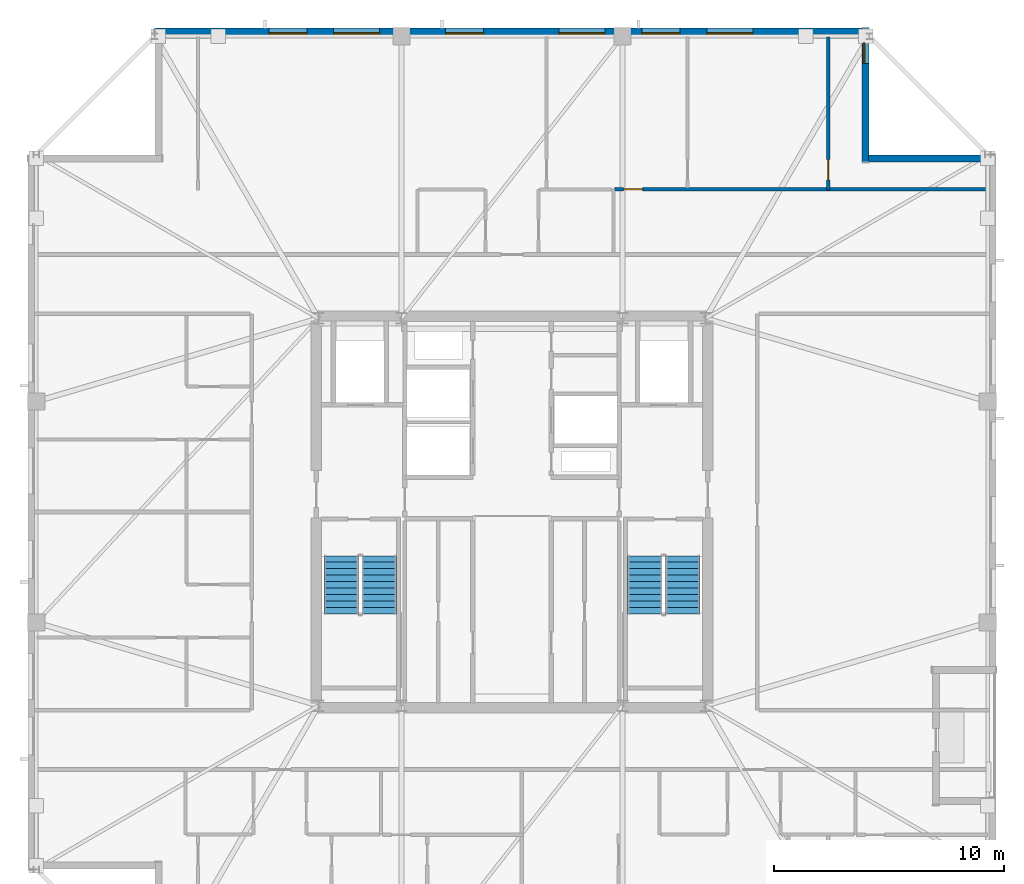
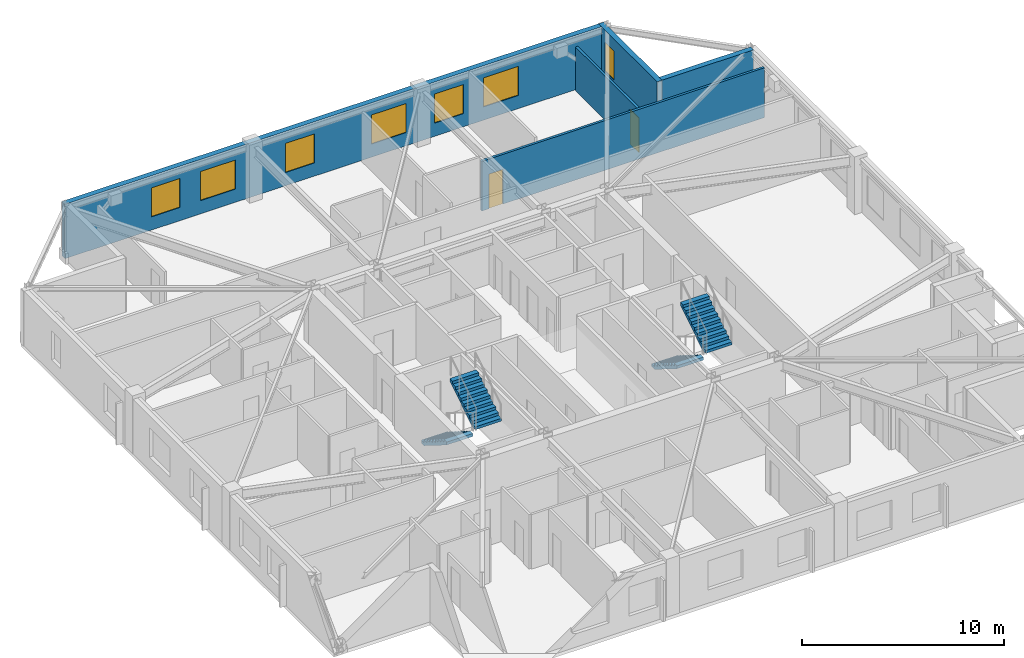
# One storey, part 11 of 15: 7 windows, 5 walls, 4 stair flights, 2 doors, 9 openings, 2 elements without a shape of their own.
"""IFC4 building model written with IfcOpenShell, lengths in metres."""

from ifc_helpers import new_model, si_unit, direction, frame, frame_2d, origin, place, context, subcontext, project, spatial, polyline, rectangle, outline, extrude, material, layer, layer_set, type_object, element, fill, aggregate, save


model = new_model("IFC4")

# Units and contexts
model_context = context("Model", 3, precision=1e-05, world=origin(), true_north=direction((0.0, 1.0)))
body_context = subcontext(model_context, "Body", "Model", "MODEL_VIEW")
ifc_project = project(units=[si_unit("LENGTHUNIT", "METRE"), si_unit("AREAUNIT", "SQUARE_METRE"), si_unit("VOLUMEUNIT", "CUBIC_METRE"), si_unit("PLANEANGLEUNIT", "RADIAN"), si_unit("MASSUNIT", "GRAM", prefix="KILO")], contexts=[model_context])

# Site, building, storey
site_placement = place(None, origin())
site = spatial("IfcSite", under=ifc_project, at=site_placement, CompositionType="ELEMENT")
building_placement = place(site_placement, origin())
building = spatial("IfcBuilding", under=site, at=building_placement, Name="Cairnveth Concourse Tower", CompositionType="ELEMENT")
storey_placement = place(building_placement, frame((0.0, 0.0, 291.0)))
storey = spatial("IfcBuildingStorey", under=building, at=storey_placement, Name="L80", CompositionType="ELEMENT", Elevation=291.0)

# Wall, opening, door
ifc_material_1 = material(Name="Gypsum Plasterboard Partition", Category="gypsum")
ifc_layer_1 = layer(ifc_material_1, 0.139892578125)
ifc_layer_set_1 = layer_set([ifc_layer_1], Name="Gypsum Plasterboard Partition")
wall_type_1 = type_object("IfcWallType", Name="GYPSUM STUD PARTITION 140", PredefinedType="PARTITIONING", material=ifc_layer_set_1)
wall_1_placement = place(storey_placement, frame((65.72998046875, 52.967529296875, 0.0), z_axis=(0.0, 0.0, 1.0), x_axis=(0.0, 1.0, 0.0)))
wall_1 = element("IfcWall", 1, at=wall_1_placement, inside=storey, type_object=wall_type_1, Name="Interior Wall IW-L80-072", PredefinedType="PARTITIONING", context=body_context, shape_type="SweptSolid", body=[
    extrude(rectangle(XDim=6.652587890625, YDim=0.139892578125, at=frame_2d((3.326171875, 0.0))), origin(), (0.0, 0.0, 1.0), 2.653076171875),
])
opening_1_placement = place(wall_1_placement, frame((0.449951171875, 0.0, 0.0)))
opening_1 = element("IfcOpeningElement", 2, at=opening_1_placement, cuts=wall_1, Name="Opening ID18", PredefinedType="OPENING", context=body_context, shape_type="SweptSolid", body=[
    extrude(rectangle(XDim=0.8798828125, YDim=2.10009765625, at=frame_2d((0.43994140625, 1.050048828125))), frame((0.0, 0.079833984375, 0.0), z_axis=(0.0, -1.0, 0.0), x_axis=(1.0, 0.0, 0.0)), (0.0, 0.0, 1.0), 0.159912109375),
])
ifc_material_2 = material(Name="Solid Core Hardwood Timber Leaf", Category="wood")
door_type_1 = type_object("IfcDoorType", Name="INTERIOR SINGLE DOOR 880X2100", OperationType="NOTDEFINED", PredefinedType="DOOR", material=ifc_material_2)
door_1_placement = place(opening_1_placement, origin())
door_1 = element("IfcDoor", 3, at=door_1_placement, inside=storey, type_object=door_type_1, Name="L80PN1 Bedroom 2 Door", OperationType="SINGLE_SWING_RIGHT", OverallHeight=2.10009765625, OverallWidth=0.8798828125, PredefinedType="DOOR", context=body_context, shape_type="SweptSolid", body=[
    extrude(rectangle(XDim=0.8798828125, YDim=2.10009765625, at=frame_2d((0.43994140625, 1.050048828125))), frame((0.0, 0.02490234375, 0.0), z_axis=(0.0, -1.0, 0.0), x_axis=(1.0, 0.0, 0.0)), (0.0, 0.0, 1.0), 0.050048828125),
])
fill(opening_1, door_1)

wall_2_placement = place(storey_placement, frame((56.449951171875, 53.007568359375, 0.0), z_axis=(0.0, 0.0, 1.0), x_axis=(1.0, 0.0, 0.0)))
wall_2 = element("IfcWall", 4, at=wall_2_placement, inside=storey, type_object=wall_type_1, Name="Interior Wall IW-L80-073", PredefinedType="PARTITIONING", context=body_context, shape_type="SweptSolid", body=[
    extrude(rectangle(XDim=16.179931640625, YDim=0.139892578125, at=frame_2d((8.08984375, 0.0))), origin(), (0.0, 0.0, 1.0), 3.009033203125),
])
opening_2_placement = place(wall_2_placement, frame((0.39990234375, 0.0, 0.0)))
opening_2 = element("IfcOpeningElement", 5, at=opening_2_placement, cuts=wall_2, Name="Opening ID22", PredefinedType="OPENING", context=body_context, shape_type="SweptSolid", body=[
    extrude(rectangle(XDim=0.820068359375, YDim=2.10009765625, at=frame_2d((0.41015625, 1.050048828125))), frame((0.0, 0.079833984375, 0.0), z_axis=(0.0, -1.0, 0.0), x_axis=(1.0, 0.0, 0.0)), (0.0, 0.0, 1.0), 0.159912109375),
])
door_type_2 = type_object("IfcDoorType", Name="INTERIOR WC DOOR 820X2100", OperationType="NOTDEFINED", PredefinedType="DOOR", material=ifc_material_2)
door_2_placement = place(opening_2_placement, origin())
door_2 = element("IfcDoor", 6, at=door_2_placement, inside=storey, type_object=door_type_2, Name="L80PN1 Utility Door", OperationType="SINGLE_SWING_LEFT", OverallHeight=2.10009765625, OverallWidth=0.820068359375, PredefinedType="DOOR", context=body_context, shape_type="SweptSolid", body=[
    extrude(rectangle(XDim=0.820068359375, YDim=2.10009765625, at=frame_2d((0.41015625, 1.050048828125))), frame((0.0, 0.02490234375, 0.0), z_axis=(0.0, -1.0, 0.0), x_axis=(1.0, 0.0, 0.0)), (0.0, 0.0, 1.0), 0.050048828125),
])
fill(opening_2, door_2)

# Wall, openings, windows
ifc_material_3 = material(Name="Hawthorn Red-Ochre Fired Clay Brick Masonry", Category="masonry")
ifc_layer_2 = layer(ifc_material_3, 0.300048828125)
ifc_layer_set_2 = layer_set([ifc_layer_2], Name="Hawthorn Red-Ochre Fired Clay Brick Masonry")
wall_type_2 = type_object("IfcWallType", Name="ZONE 4 BRICK PIER SPANDREL WALL 300", PredefinedType="SOLIDWALL", material=ifc_layer_set_2)
wall_3_placement = place(storey_placement, frame((36.5, 59.85009765625, 0.0), z_axis=(0.0, 0.0, 1.0), x_axis=(1.0, 0.0, 0.0)))
wall_3 = element("IfcWall", 7, at=wall_3_placement, inside=storey, type_object=wall_type_2, Name="Exterior Wall EW-L80-S09", PredefinedType="SOLIDWALL", context=body_context, shape_type="SweptSolid", body=[
    extrude(rectangle(XDim=30.721923828125, YDim=0.300048828125, at=frame_2d((15.36083984375, 0.0))), origin(), (0.0, 0.0, 1.0), 3.2900390625),
])
opening_3_placement = place(wall_3_placement, frame((4.943603515625, 0.0, 0.800048828125)))
opening_3 = element("IfcOpeningElement", 8, at=opening_3_placement, cuts=wall_3, Name="Opening W04", PredefinedType="OPENING", context=body_context, shape_type="SweptSolid", body=[
    extrude(rectangle(XDim=1.64990234375, YDim=1.758056640625, at=frame_2d((0.824951171875, 0.87890625))), frame((0.0, 0.159912109375, 0.0), z_axis=(0.0, -1.0, 0.0), x_axis=(1.0, 0.0, 0.0)), (0.0, 0.0, 1.0), 0.320068359375),
])
opening_4_placement = place(wall_3_placement, frame((7.755615234375, 0.0, 0.800048828125)))
opening_4 = element("IfcOpeningElement", 9, at=opening_4_placement, cuts=wall_3, Name="Opening W09", PredefinedType="OPENING", context=body_context, shape_type="SweptSolid", body=[
    extrude(rectangle(XDim=2.0, YDim=1.758056640625, at=frame_2d((1.0, 0.87890625))), frame((0.0, 0.159912109375, 0.0), z_axis=(0.0, -1.0, 0.0), x_axis=(1.0, 0.0, 0.0)), (0.0, 0.0, 1.0), 0.320068359375),
])
opening_5_placement = place(wall_3_placement, frame((12.617431640625, 0.0, 0.800048828125)))
opening_5 = element("IfcOpeningElement", 10, at=opening_5_placement, cuts=wall_3, Name="Opening W04", PredefinedType="OPENING", context=body_context, shape_type="SweptSolid", body=[
    extrude(rectangle(XDim=1.64990234375, YDim=1.758056640625, at=frame_2d((0.824951171875, 0.87890625))), frame((0.0, 0.159912109375, 0.0), z_axis=(0.0, -1.0, 0.0), x_axis=(1.0, 0.0, 0.0)), (0.0, 0.0, 1.0), 0.320068359375),
])
opening_6_placement = place(wall_3_placement, frame((17.529541015625, 0.0, 0.800048828125)))
opening_6 = element("IfcOpeningElement", 11, at=opening_6_placement, cuts=wall_3, Name="Opening W09", PredefinedType="OPENING", context=body_context, shape_type="SweptSolid", body=[
    extrude(rectangle(XDim=2.0, YDim=1.758056640625, at=frame_2d((1.0, 0.87890625))), frame((0.0, 0.159912109375, 0.0), z_axis=(0.0, -1.0, 0.0), x_axis=(1.0, 0.0, 0.0)), (0.0, 0.0, 1.0), 0.320068359375),
])
opening_7_placement = place(wall_3_placement, frame((21.1416015625, 0.0, 0.800048828125)))
opening_7 = element("IfcOpeningElement", 12, at=opening_7_placement, cuts=wall_3, Name="Opening W04", PredefinedType="OPENING", context=body_context, shape_type="SweptSolid", body=[
    extrude(rectangle(XDim=1.64990234375, YDim=1.758056640625, at=frame_2d((0.824951171875, 0.87890625))), frame((0.0, 0.159912109375, 0.0), z_axis=(0.0, -1.0, 0.0), x_axis=(1.0, 0.0, 0.0)), (0.0, 0.0, 1.0), 0.320068359375),
])
opening_8_placement = place(wall_3_placement, frame((23.95361328125, 0.0, 0.800048828125)))
opening_8 = element("IfcOpeningElement", 13, at=opening_8_placement, cuts=wall_3, Name="Opening W09", PredefinedType="OPENING", context=body_context, shape_type="SweptSolid", body=[
    extrude(rectangle(XDim=2.0, YDim=1.758056640625, at=frame_2d((1.0, 0.87890625))), frame((0.0, 0.159912109375, 0.0), z_axis=(0.0, -1.0, 0.0), x_axis=(1.0, 0.0, 0.0)), (0.0, 0.0, 1.0), 0.320068359375),
])
ifc_material_4 = material(Name="Double Glazed Low-E Clear Glass", Category="glass")
window_type_1 = type_object("IfcWindowType", Name="DEEP-SET GOTHIC LANCET WINDOW 1650X1850", PartitioningType="DOUBLE_PANEL_VERTICAL", PredefinedType="WINDOW", material=ifc_material_4)
window_1_placement = place(opening_3_placement, origin())
window_1 = element("IfcWindow", 14, at=window_1_placement, inside=storey, type_object=window_type_1, Name="Gothic Lancet Window L80-9-1", OverallHeight=1.758056640625, OverallWidth=1.64990234375, PartitioningType="SINGLE_PANEL", PredefinedType="WINDOW", context=body_context, shape_type="SweptSolid", body=[
    extrude(rectangle(XDim=1.64990234375, YDim=1.758056640625, at=frame_2d((0.824951171875, 0.87890625))), frame((0.0, -0.050048828125, 0.0), z_axis=(0.0, -1.0, 0.0), x_axis=(1.0, 0.0, 0.0)), (0.0, 0.0, 1.0), 0.06005859375),
])
fill(opening_3, window_1)
window_2_placement = place(opening_5_placement, origin())
window_2 = element("IfcWindow", 15, at=window_2_placement, inside=storey, type_object=window_type_1, Name="Gothic Lancet Window L80-9-3", OverallHeight=1.758056640625, OverallWidth=1.64990234375, PartitioningType="SINGLE_PANEL", PredefinedType="WINDOW", context=body_context, shape_type="SweptSolid", body=[
    extrude(rectangle(XDim=1.64990234375, YDim=1.758056640625, at=frame_2d((0.824951171875, 0.87890625))), frame((0.0, -0.050048828125, 0.0), z_axis=(0.0, -1.0, 0.0), x_axis=(1.0, 0.0, 0.0)), (0.0, 0.0, 1.0), 0.06005859375),
])
fill(opening_5, window_2)
window_3_placement = place(opening_7_placement, origin())
window_3 = element("IfcWindow", 16, at=window_3_placement, inside=storey, type_object=window_type_1, Name="Gothic Lancet Window L80-9-5", OverallHeight=1.758056640625, OverallWidth=1.64990234375, PartitioningType="SINGLE_PANEL", PredefinedType="WINDOW", context=body_context, shape_type="SweptSolid", body=[
    extrude(rectangle(XDim=1.64990234375, YDim=1.758056640625, at=frame_2d((0.824951171875, 0.87890625))), frame((0.0, -0.050048828125, 0.0), z_axis=(0.0, -1.0, 0.0), x_axis=(1.0, 0.0, 0.0)), (0.0, 0.0, 1.0), 0.06005859375),
])
fill(opening_7, window_3)
window_type_2 = type_object("IfcWindowType", Name="DEEP-SET PENTHOUSE LANCET WINDOW 2000X1850", PartitioningType="DOUBLE_PANEL_VERTICAL", PredefinedType="WINDOW", material=ifc_material_4)
window_4_placement = place(opening_4_placement, origin())
window_4 = element("IfcWindow", 17, at=window_4_placement, inside=storey, type_object=window_type_2, Name="Gothic Lancet Window L80-9-2", OverallHeight=1.758056640625, OverallWidth=2.0, PartitioningType="SINGLE_PANEL", PredefinedType="WINDOW", context=body_context, shape_type="SweptSolid", body=[
    extrude(rectangle(XDim=2.0, YDim=1.758056640625, at=frame_2d((1.0, 0.87890625))), frame((0.0, -0.050048828125, 0.0), z_axis=(0.0, -1.0, 0.0), x_axis=(1.0, 0.0, 0.0)), (0.0, 0.0, 1.0), 0.06005859375),
])
fill(opening_4, window_4)
window_5_placement = place(opening_6_placement, origin())
window_5 = element("IfcWindow", 18, at=window_5_placement, inside=storey, type_object=window_type_2, Name="Gothic Lancet Window L80-9-4", OverallHeight=1.758056640625, OverallWidth=2.0, PartitioningType="SINGLE_PANEL", PredefinedType="WINDOW", context=body_context, shape_type="SweptSolid", body=[
    extrude(rectangle(XDim=2.0, YDim=1.758056640625, at=frame_2d((1.0, 0.87890625))), frame((0.0, -0.050048828125, 0.0), z_axis=(0.0, -1.0, 0.0), x_axis=(1.0, 0.0, 0.0)), (0.0, 0.0, 1.0), 0.06005859375),
])
fill(opening_6, window_5)
window_6_placement = place(opening_8_placement, origin())
window_6 = element("IfcWindow", 19, at=window_6_placement, inside=storey, type_object=window_type_2, Name="Gothic Lancet Window L80-9-6", OverallHeight=1.758056640625, OverallWidth=2.0, PartitioningType="SINGLE_PANEL", PredefinedType="WINDOW", context=body_context, shape_type="SweptSolid", body=[
    extrude(rectangle(XDim=2.0, YDim=1.758056640625, at=frame_2d((1.0, 0.87890625))), frame((0.0, -0.050048828125, 0.0), z_axis=(0.0, -1.0, 0.0), x_axis=(1.0, 0.0, 0.0)), (0.0, 0.0, 1.0), 0.06005859375),
])
fill(opening_8, window_6)

# Wall, opening, window
wall_4_placement = place(storey_placement, frame((67.35009765625, 60.0, 0.0), z_axis=(0.0, 0.0, 1.0), x_axis=(0.0, -1.0, 0.0)))
wall_4 = element("IfcWall", 20, at=wall_4_placement, inside=storey, type_object=wall_type_2, Name="Exterior Wall EW-L80-S10", PredefinedType="SOLIDWALL", context=body_context, shape_type="SweptSolid", body=[
    extrude(rectangle(XDim=5.800048828125, YDim=0.300048828125, at=frame_2d((2.89990234375, 0.0))), origin(), (0.0, 0.0, 1.0), 3.2900390625),
])
opening_9_placement = place(wall_4_placement, frame((0.6298828125, 0.0, 0.800048828125)))
opening_9 = element("IfcOpeningElement", 21, at=opening_9_placement, cuts=wall_4, Name="Opening W13", PredefinedType="OPENING", context=body_context, shape_type="SweptSolid", body=[
    extrude(rectangle(XDim=0.89990234375, YDim=1.75, at=frame_2d((0.449951171875, 0.875))), frame((0.0, 0.159912109375, 0.0), z_axis=(0.0, -1.0, 0.0), x_axis=(1.0, 0.0, 0.0)), (0.0, 0.0, 1.0), 0.320068359375),
])
window_type_3 = type_object("IfcWindowType", Name="DEEP-SET BEDROOM LANCET WINDOW 900X1750", PartitioningType="DOUBLE_PANEL_VERTICAL", PredefinedType="WINDOW", material=ifc_material_4)
window_7_placement = place(opening_9_placement, origin())
window_7 = element("IfcWindow", 22, at=window_7_placement, inside=storey, type_object=window_type_3, Name="Dwelling Lancet Window L80-DW4", OverallHeight=1.75, OverallWidth=0.89990234375, PartitioningType="SINGLE_PANEL", PredefinedType="WINDOW", context=body_context, shape_type="SweptSolid", body=[
    extrude(rectangle(XDim=0.89990234375, YDim=1.75, at=frame_2d((0.449951171875, 0.875))), frame((0.0, -0.0400390625, 0.0), z_axis=(0.0, -1.0, 0.0), x_axis=(1.0, 0.0, 0.0)), (0.0, 0.0, 1.0), 0.06005859375),
])
fill(opening_9, window_7)

# Wall
wall_5_placement = place(storey_placement, frame((67.47802734375, 54.35009765625, 0.0), z_axis=(0.0, 0.0, 1.0), x_axis=(1.0, 0.0, 0.0)))
element("IfcWall", 23, at=wall_5_placement, inside=storey, type_object=wall_type_2, Name="Exterior Wall EW-L80-S11", PredefinedType="SOLIDWALL", context=body_context, shape_type="SweptSolid", body=[
    extrude(rectangle(XDim=5.243896484375, YDim=0.300048828125, at=frame_2d((2.6220703125, 0.0))), origin(), (0.0, 0.0, 1.0), 3.2900390625),
])

# Stair, stair flights
ifc_material_5 = material(Name="Precast concrete N50 (50 MPa)", Category="concrete")
stair_type = type_object("IfcStairType", Name="CORE DOG-LEG FIRE STAIR 1500", PredefinedType="HALF_TURN_STAIR", material=ifc_material_5)
stair_1_placement = place(storey_placement, origin())
stair_1 = element("IfcStair", 24, at=stair_1_placement, inside=storey, type_object=stair_type, Name="L80 Fire-Isolated Stair ST-1", PredefinedType="HALF_TURN_STAIR")
stair_flight_type = type_object("IfcStairFlightType", Name="PRECAST CONCRETE STAIR FLIGHT 1500", PredefinedType="STRAIGHT", material=ifc_material_5)
stair_flight_1_placement = place(storey_placement, frame((44.590087890625, 37.10009765625, 0.0), z_axis=(0.0, 0.0, 1.0), x_axis=(0.0, -1.0, 0.0)))
stair_flight_1 = element("IfcStairFlight", 25, at=stair_flight_1_placement, type_object=stair_flight_type, Name="ST-1 flight 1", NumberOfRisers=10, NumberOfTreads=9, PredefinedType="STRAIGHT", RiserHeight=0.175, TreadLength=0.28, context=body_context, shape_type="SweptSolid", body=[
    extrude(outline(polyline([(0.0, 0.0), (0.0, 0.175048828125), (0.280029296875, 0.175048828125), (0.280029296875, 0.35009765625), (0.56005859375, 0.35009765625), (0.56005859375, 0.52490234375), (0.840087890625, 0.52490234375), (0.840087890625, 0.699951171875), (1.1201171875, 0.699951171875), (1.1201171875, 0.875), (1.39990234375, 0.875), (1.39990234375, 1.050048828125), (1.679931640625, 1.050048828125), (1.679931640625, 1.22509765625), (1.9599609375, 1.22509765625), (1.9599609375, 1.39990234375), (2.239990234375, 1.39990234375), (2.239990234375, 1.574951171875), (2.52001953125, 1.574951171875), (2.52001953125, 1.75), (2.52001953125, 1.398193359375), (0.28271484375, 0.0), (0.0, 0.0)])), frame((0.0, 0.75, 0.0), z_axis=(0.0, -1.0, 0.0), x_axis=(1.0, 0.0, 0.0)), (0.0, 0.0, 1.0), 1.5),
])
stair_flight_2_placement = place(storey_placement, frame((46.22998046875, 34.580078125, 1.75), z_axis=(0.0, 0.0, 1.0), x_axis=(0.0, 1.0, 0.0)))
stair_flight_2 = element("IfcStairFlight", 26, at=stair_flight_2_placement, type_object=stair_flight_type, Name="ST-1 flight 2", NumberOfRisers=10, NumberOfTreads=9, PredefinedType="STRAIGHT", RiserHeight=0.175, TreadLength=0.28, context=body_context, shape_type="SweptSolid", body=[
    extrude(outline(polyline([(0.0, 0.0), (0.0, 0.175048828125), (0.280029296875, 0.175048828125), (0.280029296875, 0.35009765625), (0.56005859375, 0.35009765625), (0.56005859375, 0.52490234375), (0.840087890625, 0.52490234375), (0.840087890625, 0.699951171875), (1.1201171875, 0.699951171875), (1.1201171875, 0.875), (1.39990234375, 0.875), (1.39990234375, 1.050048828125), (1.679931640625, 1.050048828125), (1.679931640625, 1.22509765625), (1.9599609375, 1.22509765625), (1.9599609375, 1.39990234375), (2.239990234375, 1.39990234375), (2.239990234375, 1.574951171875), (2.52001953125, 1.574951171875), (2.52001953125, 1.75), (2.52001953125, 1.398193359375), (0.28271484375, 0.0), (0.0, 0.0)])), frame((0.0, 0.75, 0.0), z_axis=(0.0, -1.0, 0.0), x_axis=(1.0, 0.0, 0.0)), (0.0, 0.0, 1.0), 1.5),
])
aggregate(stair_1, [stair_flight_1, stair_flight_2])

stair_2_placement = place(storey_placement, origin())
stair_2 = element("IfcStair", 27, at=stair_2_placement, inside=storey, type_object=stair_type, Name="L80 Fire-Isolated Stair ST-2", PredefinedType="HALF_TURN_STAIR")
stair_flight_3_placement = place(storey_placement, frame((57.77001953125, 37.10009765625, 0.0), z_axis=(0.0, 0.0, 1.0), x_axis=(0.0, -1.0, 0.0)))
stair_flight_3 = element("IfcStairFlight", 28, at=stair_flight_3_placement, type_object=stair_flight_type, Name="ST-2 flight 1", NumberOfRisers=10, NumberOfTreads=9, PredefinedType="STRAIGHT", RiserHeight=0.175, TreadLength=0.28, context=body_context, shape_type="SweptSolid", body=[
    extrude(outline(polyline([(0.0, 0.0), (0.0, 0.175048828125), (0.280029296875, 0.175048828125), (0.280029296875, 0.35009765625), (0.56005859375, 0.35009765625), (0.56005859375, 0.52490234375), (0.840087890625, 0.52490234375), (0.840087890625, 0.699951171875), (1.1201171875, 0.699951171875), (1.1201171875, 0.875), (1.39990234375, 0.875), (1.39990234375, 1.050048828125), (1.679931640625, 1.050048828125), (1.679931640625, 1.22509765625), (1.9599609375, 1.22509765625), (1.9599609375, 1.39990234375), (2.239990234375, 1.39990234375), (2.239990234375, 1.574951171875), (2.52001953125, 1.574951171875), (2.52001953125, 1.75), (2.52001953125, 1.398193359375), (0.28271484375, 0.0), (0.0, 0.0)])), frame((0.0, 0.75, 0.0), z_axis=(0.0, -1.0, 0.0), x_axis=(1.0, 0.0, 0.0)), (0.0, 0.0, 1.0), 1.5),
])
stair_flight_4_placement = place(storey_placement, frame((59.409912109375, 34.580078125, 1.75), z_axis=(0.0, 0.0, 1.0), x_axis=(0.0, 1.0, 0.0)))
stair_flight_4 = element("IfcStairFlight", 29, at=stair_flight_4_placement, type_object=stair_flight_type, Name="ST-2 flight 2", NumberOfRisers=10, NumberOfTreads=9, PredefinedType="STRAIGHT", RiserHeight=0.175, TreadLength=0.28, context=body_context, shape_type="SweptSolid", body=[
    extrude(outline(polyline([(0.0, 0.0), (0.0, 0.175048828125), (0.280029296875, 0.175048828125), (0.280029296875, 0.35009765625), (0.56005859375, 0.35009765625), (0.56005859375, 0.52490234375), (0.840087890625, 0.52490234375), (0.840087890625, 0.699951171875), (1.1201171875, 0.699951171875), (1.1201171875, 0.875), (1.39990234375, 0.875), (1.39990234375, 1.050048828125), (1.679931640625, 1.050048828125), (1.679931640625, 1.22509765625), (1.9599609375, 1.22509765625), (1.9599609375, 1.39990234375), (2.239990234375, 1.39990234375), (2.239990234375, 1.574951171875), (2.52001953125, 1.574951171875), (2.52001953125, 1.75), (2.52001953125, 1.398193359375), (0.28271484375, 0.0), (0.0, 0.0)])), frame((0.0, 0.75, 0.0), z_axis=(0.0, -1.0, 0.0), x_axis=(1.0, 0.0, 0.0)), (0.0, 0.0, 1.0), 1.5),
])
aggregate(stair_2, [stair_flight_3, stair_flight_4])

save(model, "model.ifc")
